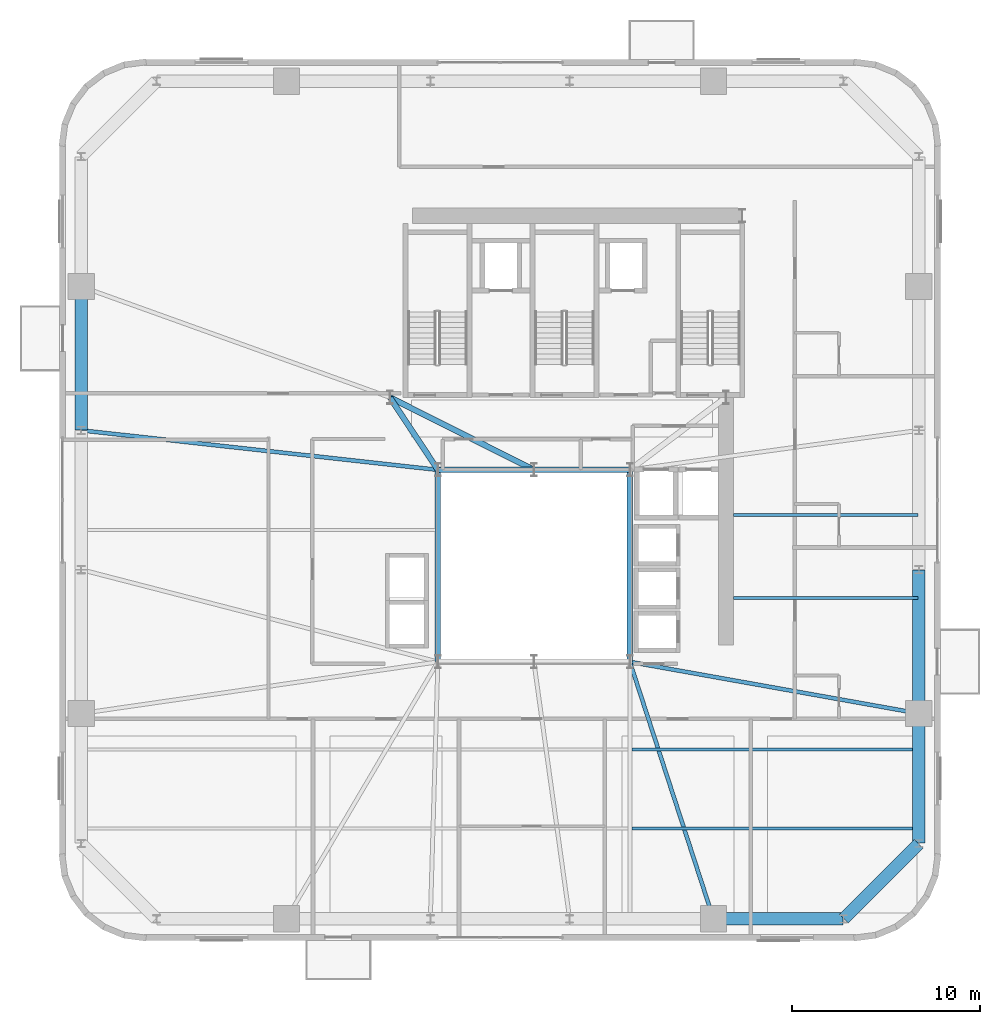
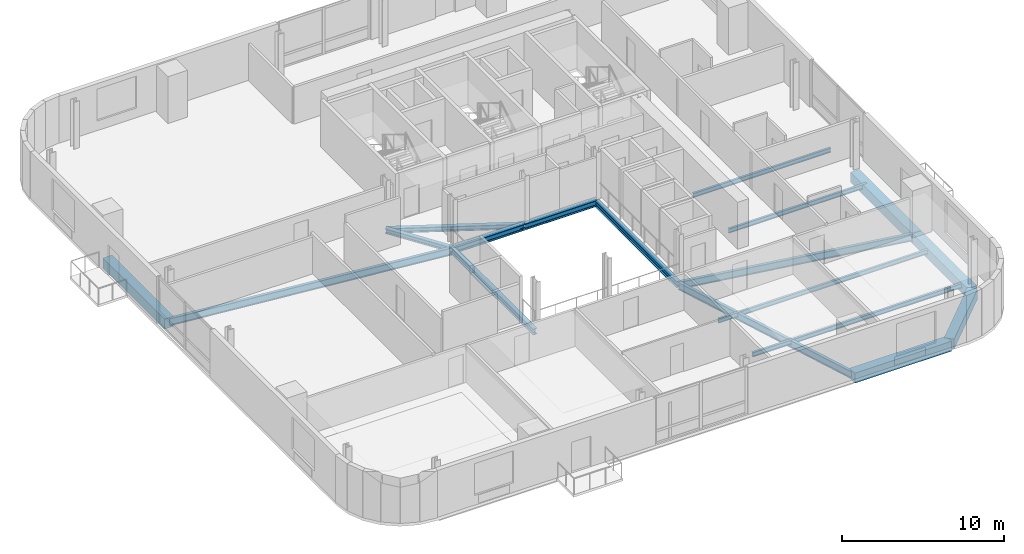
# One storey, part 4 of 16: 18 beams.
"""IFC4 building model written with IfcOpenShell, lengths in metres."""

from ifc_helpers import new_model, si_unit, direction, frame, origin, origin_2d, place, context, subcontext, project, spatial, rectangle, i_section, extrude, source, transform, mapped, material, material_profile, profile_set, type_object, element, save


model = new_model("IFC4")

# Units and contexts
model_context = context("Model", 3, precision=1e-05, world=origin(), true_north=direction((0.0, 1.0)))
body_context = subcontext(model_context, "Body", "Model", "MODEL_VIEW")
ifc_project = project(units=[si_unit("LENGTHUNIT", "METRE"), si_unit("AREAUNIT", "SQUARE_METRE"), si_unit("VOLUMEUNIT", "CUBIC_METRE"), si_unit("PLANEANGLEUNIT", "RADIAN"), si_unit("MASSUNIT", "GRAM", prefix="KILO")], contexts=[model_context])

# Site, building, storey
site_placement = place(None, origin())
site = spatial("IfcSite", under=ifc_project, at=site_placement, CompositionType="ELEMENT")
building_placement = place(site_placement, origin())
building = spatial("IfcBuilding", under=site, at=building_placement, Name="Vardaveli Station Tower", CompositionType="ELEMENT")
storey_placement = place(building_placement, frame((0.0, 0.0, 188.550048828125)))
storey = spatial("IfcBuildingStorey", under=building, at=storey_placement, Name="L48", CompositionType="ELEMENT", Elevation=188.550048828125)

# Beams
ifc_material_1 = material(Name="Structural steel S355J2", Category="steel")
ifc_material_profile_1 = material_profile(ifc_material_1, i_section(OverallWidth=0.300048828125, OverallDepth=0.449951171875, WebThickness=0.013916015625, FlangeThickness=0.02587890625, FilletRadius=0.027099609375, at=origin_2d()), Name="HEB 450")
ifc_profile_set_1 = profile_set([ifc_material_profile_1], Name="Structural steel S355J2")
beam_type_1 = type_object("IfcBeamType", Name="BM-HEB450", PredefinedType="BEAM", material=ifc_profile_set_1)
shared_shape_1 = source(origin(), body_context, "Body", "SweptSolid", [
    extrude(i_section(OverallWidth=0.300048828125, OverallDepth=0.449951171875, WebThickness=0.013916015625, FlangeThickness=0.02587890625, FilletRadius=0.027099609375, at=origin_2d()), origin(), (0.0, 0.0, 1.0), 5.06005859375),
])
beam_1_placement = place(storey_placement, frame((36.280029296875, 26.800048828125, -0.445068359375), z_axis=(-1.0, 0.0, 0.0), x_axis=(0.0, -1.0, 0.0)))
element("IfcBeam", 1, at=beam_1_placement, inside=storey, type_object=beam_type_1, Name="ABM-L48-05", PredefinedType="BEAM", context=body_context, shape_type="MappedRepresentation", body=[
    mapped(shared_shape_1, transform((0.0, 0.0, 0.0), scale=1.0)),
])
shared_shape_2 = source(origin(), body_context, "Body", "SweptSolid", [
    extrude(i_section(OverallWidth=0.300048828125, OverallDepth=0.449951171875, WebThickness=0.013916015625, FlangeThickness=0.02587890625, FilletRadius=0.027099609375, at=origin_2d()), origin(), (0.0, 0.0, 1.0), 5.059814453125),
])
beam_2_placement = place(storey_placement, frame((41.3798828125, 26.800048828125, -0.445068359375), z_axis=(-1.0, 0.0, 0.0), x_axis=(0.0, -1.0, 0.0)))
element("IfcBeam", 2, at=beam_2_placement, inside=storey, type_object=beam_type_1, Name="ABM-L48-04", PredefinedType="BEAM", context=body_context, shape_type="MappedRepresentation", body=[
    mapped(shared_shape_2, transform((0.0, 0.0, 0.0), scale=1.0)),
])
shared_shape_3 = source(origin(), body_context, "Body", "SweptSolid", [
    extrude(i_section(OverallWidth=0.300048828125, OverallDepth=0.449951171875, WebThickness=0.013916015625, FlangeThickness=0.02587890625, FilletRadius=0.027099609375, at=origin_2d()), origin(), (0.0, 0.0, 1.0), 10.159912109375),
])
for number, where, z_axis, x_axis, name in (
    (3, (41.39990234375, 16.6201171875, -0.445068359375), (0.0, 1.0, 0.0), (-1.0, 0.0, 0.0), "ABM-L48-03"),
    (4, (31.199951171875, 26.780029296875, -0.445068359375), (0.0, -1.0, 0.0), (1.0, 0.0, 0.0), "ABM-L48-06"),
):
    element("IfcBeam", number, at=place(storey_placement, frame(where, z_axis=z_axis, x_axis=x_axis)), inside=storey, type_object=beam_type_1, Name=name, PredefinedType="BEAM", context=body_context, shape_type="MappedRepresentation", body=[
        mapped(shared_shape_3, transform((0.0, 0.0, 0.0), scale=1.0)),
    ])
ifc_material_profile_2 = material_profile(ifc_material_1, i_section(OverallWidth=0.300048828125, OverallDepth=0.360107421875, WebThickness=0.012451171875, FlangeThickness=0.0224609375, FilletRadius=0.027099609375, at=origin_2d()), Name="HEB 360")
ifc_profile_set_2 = profile_set([ifc_material_profile_2], Name="Structural steel S355J2")
beam_type_2 = type_object("IfcBeamType", Name="BM-HEB360", PredefinedType="BEAM", material=ifc_profile_set_2)
shared_shape_4 = source(origin(), body_context, "Body", "SweptSolid", [
    extrude(i_section(OverallWidth=0.300048828125, OverallDepth=0.360107421875, WebThickness=0.012451171875, FlangeThickness=0.0224609375, FilletRadius=0.027099609375, at=origin_2d()), origin(), (0.0, 0.0, 1.0), 4.577880859375),
])
beam_3_placement = place(storey_placement, frame((31.18896484375, 26.816650390625, -0.400146484375), z_axis=(-0.55218702139, 0.833720272879, 0.0), x_axis=(-0.833720272879, -0.55218702139, 0.0)))
element("IfcBeam", 5, at=beam_3_placement, inside=storey, type_object=beam_type_2, Name="CBM-L48-01", PredefinedType="BEAM", context=body_context, shape_type="MappedRepresentation", body=[
    mapped(shared_shape_4, transform((0.0, 0.0, 0.0), scale=1.0)),
])
shared_shape_5 = source(origin(), body_context, "Body", "SweptSolid", [
    extrude(i_section(OverallWidth=0.300048828125, OverallDepth=0.360107421875, WebThickness=0.012451171875, FlangeThickness=0.0224609375, FilletRadius=0.027099609375, at=origin_2d()), origin(), (0.0, 0.0, 1.0), 8.524169921875),
])
beam_4_placement = place(storey_placement, frame((28.66796875, 30.64111328125, -0.400146484375), z_axis=(0.893255584708, -0.449549174605, 0.0), x_axis=(0.449549174605, 0.893255584708, 0.0)))
element("IfcBeam", 6, at=beam_4_placement, inside=storey, type_object=beam_type_2, Name="CBM-L48-03", PredefinedType="BEAM", context=body_context, shape_type="MappedRepresentation", body=[
    mapped(shared_shape_5, transform((0.0, 0.0, 0.0), scale=1.0)),
])
ifc_material_2 = material(Name="Precast concrete C45/55", Category="concrete")
ifc_material_profile_3 = material_profile(ifc_material_2, rectangle(XDim=0.64990234375, YDim=0.75, at=origin_2d()), Name="LPB 650x750")
ifc_profile_set_3 = profile_set([ifc_material_profile_3], Name="Precast concrete C45/55")
beam_type_3 = type_object("IfcBeamType", Name="BM-LPB-750", PredefinedType="BEAM", material=ifc_profile_set_3)
shared_shape_6 = source(origin(), body_context, "Body", "SweptSolid", [
    extrude(rectangle(XDim=0.64990234375, YDim=0.75, at=origin_2d()), origin(), (0.0, 0.0, 1.0), 7.60009765625),
])
for number, where, z_axis, x_axis, name in (
    (7, (56.75, 13.8798828125, -0.594970703125), (0.0, 1.0, 0.0), (-1.0, 0.0, 0.0), "RBM-L48-07"),
    (8, (12.25, 36.52001953125, -0.594970703125), (0.0, -1.0, 0.0), (1.0, 0.0, 0.0), "RBM-L48-19"),
):
    element("IfcBeam", number, at=place(storey_placement, frame(where, z_axis=z_axis, x_axis=x_axis)), inside=storey, type_object=beam_type_3, Name=name, PredefinedType="BEAM", context=body_context, shape_type="MappedRepresentation", body=[
        mapped(shared_shape_6, transform((0.0, 0.0, 0.0), scale=1.0)),
    ])
shared_shape_7 = source(origin(), body_context, "Body", "SweptSolid", [
    extrude(rectangle(XDim=0.64990234375, YDim=0.75, at=origin_2d()), origin(), (0.0, 0.0, 1.0), 6.869873046875),
])
beam_5_placement = place(storey_placement, frame((45.860107421875, 2.949951171875, -0.594970703125), z_axis=(1.0, 0.0, 0.0), x_axis=(0.0, 1.0, 0.0)))
element("IfcBeam", 9, at=beam_5_placement, inside=storey, type_object=beam_type_3, Name="RBM-L48-04", PredefinedType="BEAM", context=body_context, shape_type="MappedRepresentation", body=[
    mapped(shared_shape_7, transform((0.0, 0.0, 0.0), scale=1.0)),
])
shared_shape_8 = source(origin(), body_context, "Body", "SweptSolid", [
    extrude(rectangle(XDim=0.64990234375, YDim=0.75, at=origin_2d()), origin(), (0.0, 0.0, 1.0), 5.61669921875),
])
beam_6_placement = place(storey_placement, frame((52.76416015625, 2.964111328125, -0.594970703125), z_axis=(0.707106781187, 0.707106781187, 0.0), x_axis=(-0.707106781187, 0.707106781187, 0.0)))
element("IfcBeam", 10, at=beam_6_placement, inside=storey, type_object=beam_type_3, Name="RBM-L48-05", PredefinedType="BEAM", context=body_context, shape_type="MappedRepresentation", body=[
    mapped(shared_shape_8, transform((0.0, 0.0, 0.0), scale=1.0)),
])
shared_shape_9 = source(origin(), body_context, "Body", "SweptSolid", [
    extrude(rectangle(XDim=0.64990234375, YDim=0.75, at=origin_2d()), origin(), (0.0, 0.0, 1.0), 6.8701171875),
])
beam_7_placement = place(storey_placement, frame((56.75, 6.969970703125, -0.594970703125), z_axis=(0.0, 1.0, 0.0), x_axis=(-1.0, 0.0, 0.0)))
element("IfcBeam", 11, at=beam_7_placement, inside=storey, type_object=beam_type_3, Name="RBM-L48-06", PredefinedType="BEAM", context=body_context, shape_type="MappedRepresentation", body=[
    mapped(shared_shape_9, transform((0.0, 0.0, 0.0), scale=1.0)),
])
ifc_material_profile_4 = material_profile(ifc_material_1, i_section(OverallWidth=0.159912109375, OverallDepth=0.330078125, WebThickness=0.007568359375, FlangeThickness=0.011474609375, FilletRadius=0.01806640625, at=origin_2d()), Name="IPE 330")
ifc_profile_set_4 = profile_set([ifc_material_profile_4], Name="Structural steel S355J2")
beam_type_4 = type_object("IfcBeamType", Name="BM-IPE330", PredefinedType="JOIST", material=ifc_profile_set_4)
shared_shape_10 = source(origin(), body_context, "Body", "SweptSolid", [
    extrude(i_section(OverallWidth=0.159912109375, OverallDepth=0.330078125, WebThickness=0.007568359375, FlangeThickness=0.011474609375, FilletRadius=0.01806640625, at=origin_2d()), origin(), (0.0, 0.0, 1.0), 15.197998046875),
])
for number, where, z_axis, x_axis, name in (
    (12, (41.511962890625, 7.75, -0.385009765625), (1.0, 0.0, 0.0), (0.0, 1.0, 0.0), "SJ-L48-S02"),
    (13, (41.511962890625, 11.949951171875, -0.385009765625), (1.0, 0.0, 0.0), (0.0, 1.0, 0.0), "SJ-L48-S04"),
):
    element("IfcBeam", number, at=place(storey_placement, frame(where, z_axis=z_axis, x_axis=x_axis)), inside=storey, type_object=beam_type_4, Name=name, PredefinedType="JOIST", context=body_context, shape_type="MappedRepresentation", body=[
        mapped(shared_shape_10, transform((0.0, 0.0, 0.0), scale=1.0)),
    ])
shared_shape_11 = source(origin(), body_context, "Body", "SweptSolid", [
    extrude(i_section(OverallWidth=0.159912109375, OverallDepth=0.330078125, WebThickness=0.007568359375, FlangeThickness=0.011474609375, FilletRadius=0.01806640625, at=origin_2d()), origin(), (0.0, 0.0, 1.0), 9.804931640625),
])
for number, where, z_axis, x_axis, name in (
    (14, (46.905029296875, 20.0, -0.385009765625), (1.0, 0.0, 0.0), (0.0, 1.0, 0.0), "SJ-L48-E07"),
    (15, (46.905029296875, 24.39990234375, -0.385009765625), (1.0, 0.0, 0.0), (0.0, 1.0, 0.0), "SJ-L48-E08"),
):
    element("IfcBeam", number, at=place(storey_placement, frame(where, z_axis=z_axis, x_axis=x_axis)), inside=storey, type_object=beam_type_4, Name=name, PredefinedType="JOIST", context=body_context, shape_type="MappedRepresentation", body=[
        mapped(shared_shape_11, transform((0.0, 0.0, 0.0), scale=1.0)),
    ])
ifc_material_profile_5 = material_profile(ifc_material_1, i_section(OverallWidth=0.2099609375, OverallDepth=0.550048828125, WebThickness=0.010986328125, FlangeThickness=0.01708984375, FilletRadius=0.02392578125, at=origin_2d()), Name="IPE 550")
ifc_profile_set_5 = profile_set([ifc_material_profile_5], Name="Structural steel S355J2")
beam_type_5 = type_object("IfcBeamType", Name="BM-IPE550", PredefinedType="BEAM", material=ifc_profile_set_5)
shared_shape_12 = source(origin(), body_context, "Body", "SweptSolid", [
    extrude(i_section(OverallWidth=0.2099609375, OverallDepth=0.550048828125, WebThickness=0.010986328125, FlangeThickness=0.01708984375, FilletRadius=0.02392578125, at=origin_2d()), origin(), (0.0, 0.0, 1.0), 14.31396484375),
])
beam_8_placement = place(storey_placement, frame((45.833740234375, 2.968994140625, -0.4951171875), z_axis=(-0.309311678023, 0.950960717295, 0.0), x_axis=(-0.950960717295, -0.309311678023, 0.0)))
element("IfcBeam", 16, at=beam_8_placement, inside=storey, type_object=beam_type_5, Name="GBM-L48-04", PredefinedType="BEAM", context=body_context, shape_type="MappedRepresentation", body=[
    mapped(shared_shape_12, transform((0.0, 0.0, 0.0), scale=1.0)),
])
shared_shape_13 = source(origin(), body_context, "Body", "SweptSolid", [
    extrude(i_section(OverallWidth=0.2099609375, OverallDepth=0.550048828125, WebThickness=0.010986328125, FlangeThickness=0.01708984375, FilletRadius=0.02392578125, at=origin_2d()), origin(), (0.0, 0.0, 1.0), 15.552490234375),
])
beam_9_placement = place(storey_placement, frame((56.730224609375, 13.863525390625, -0.4951171875), z_axis=(-0.984439991578, 0.1757210943, 0.0), x_axis=(-0.1757210943, -0.984439991578, 0.0)))
element("IfcBeam", 17, at=beam_9_placement, inside=storey, type_object=beam_type_5, Name="GBM-L48-05", PredefinedType="BEAM", context=body_context, shape_type="MappedRepresentation", body=[
    mapped(shared_shape_13, transform((0.0, 0.0, 0.0), scale=1.0)),
])
shared_shape_14 = source(origin(), body_context, "Body", "SweptSolid", [
    extrude(i_section(OverallWidth=0.2099609375, OverallDepth=0.550048828125, WebThickness=0.010986328125, FlangeThickness=0.01708984375, FilletRadius=0.02392578125, at=origin_2d()), origin(), (0.0, 0.0, 1.0), 19.026123046875),
])
beam_10_placement = place(storey_placement, frame((12.269775390625, 28.897705078125, -0.4951171875), z_axis=(0.993916552721, -0.110135762707, 0.0), x_axis=(0.110135762707, 0.993916552721, 0.0)))
element("IfcBeam", 18, at=beam_10_placement, inside=storey, type_object=beam_type_5, Name="GBM-L48-08", PredefinedType="BEAM", context=body_context, shape_type="MappedRepresentation", body=[
    mapped(shared_shape_14, transform((0.0, 0.0, 0.0), scale=1.0)),
])

save(model, "model.ifc")
